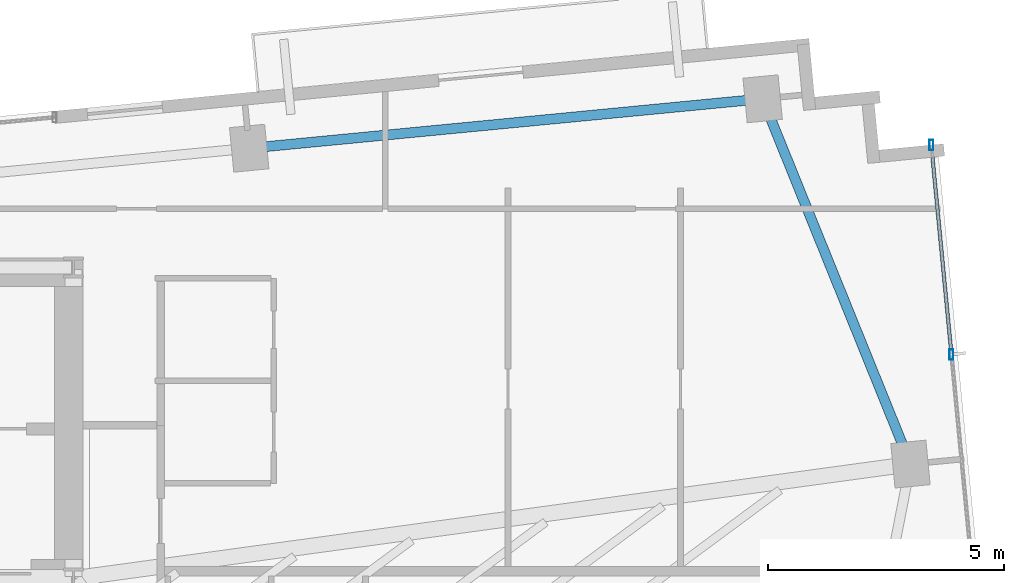
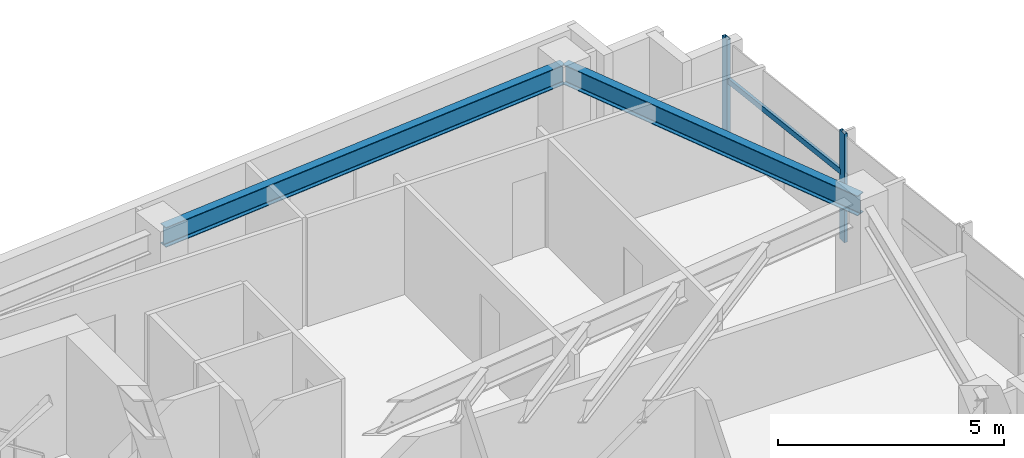
# One storey, part 11 of 18: 3 members, 2 beams, 1 element without a shape of its own.
"""IFC4 building model written with IfcOpenShell, lengths in metres."""

from ifc_helpers import new_model, si_unit, direction, frame, origin, origin_2d, place, context, subcontext, project, spatial, hollow_rectangle, i_section, extrude, source, transform, mapped, material, material_profile, profile_set, type_object, type_shapes, element, aggregate, save


model = new_model("IFC4")

# Units and contexts
model_context = context("Model", 3, precision=1e-05, world=origin(), true_north=direction((0.0, 1.0)))
body_context = subcontext(model_context, "Body", "Model", "MODEL_VIEW")
ifc_project = project(units=[si_unit("LENGTHUNIT", "METRE"), si_unit("AREAUNIT", "SQUARE_METRE"), si_unit("VOLUMEUNIT", "CUBIC_METRE"), si_unit("PLANEANGLEUNIT", "RADIAN"), si_unit("MASSUNIT", "GRAM", prefix="KILO")], contexts=[model_context])

# Site, building, storey
site_placement = place(None, origin())
site = spatial("IfcSite", under=ifc_project, at=site_placement, CompositionType="ELEMENT")
building_placement = place(site_placement, origin())
building = spatial("IfcBuilding", under=site, at=building_placement, Name="Astriad Promenade Condominiums", CompositionType="ELEMENT")
storey_placement = place(building_placement, frame((0.0, 0.0, 185.800048828125)))
storey = spatial("IfcBuildingStorey", under=building, at=storey_placement, Name="L53", CompositionType="ELEMENT", Elevation=185.800048828125)

# Beams
ifc_material_1 = material(Name="Steel ASTM A992 Grade 50", Category="steel")
ifc_material_profile_1 = material_profile(ifc_material_1, i_section(OverallWidth=0.210693359375, OverallDepth=0.53955078125, WebThickness=0.01171875, FlangeThickness=0.018798828125, FilletRadius=0.0166015625, at=origin_2d()), Name="W21X73")
ifc_profile_set_1 = profile_set([ifc_material_profile_1], Name="Steel ASTM A992 Grade 50")
beam_type = type_object("IfcBeamType", Name="STEEL SPANDREL BEAM W21X73", PredefinedType="SPANDREL", material=ifc_profile_set_1)
shared_shape_1 = source(origin(), body_context, "Body", "SweptSolid", [
    extrude(i_section(OverallWidth=0.210693359375, OverallDepth=0.53955078125, WebThickness=0.01171875, FlangeThickness=0.018798828125, FilletRadius=0.0166015625, at=origin_2d()), origin(), (0.0, 0.0, 1.0), 10.8701171875),
])
beam_1_placement = place(storey_placement, frame((60.190673828125, 27.578369140625, 2.670166015625), z_axis=(-0.995394986184, -0.09585834069, 0.0), x_axis=(0.09585834069, -0.995394986184, 0.0)))
element("IfcBeam", 1, at=beam_1_placement, inside=storey, type_object=beam_type, Name="Perimeter Spandrel Beam SP-N4-L53", PredefinedType="SPANDREL", context=body_context, shape_type="MappedRepresentation", body=[
    mapped(shared_shape_1, transform((0.0, 0.0, 0.0), scale=1.0)),
])
shared_shape_2 = source(origin(), body_context, "Body", "SweptSolid", [
    extrude(i_section(OverallWidth=0.210693359375, OverallDepth=0.53955078125, WebThickness=0.01171875, FlangeThickness=0.018798828125, FilletRadius=0.0166015625, at=origin_2d()), origin(), (0.0, 0.0, 1.0), 8.28564453125),
])
type_shapes(beam_type, [shared_shape_1, shared_shape_2])
beam_2_placement = place(storey_placement, frame((63.353271484375, 19.8642578125, 2.670166015625), z_axis=(-0.375070987134, 0.926996092014, 0.0), x_axis=(-0.926996092014, -0.375070987134, 0.0)))
element("IfcBeam", 2, at=beam_2_placement, inside=storey, type_object=beam_type, Name="Perimeter Spandrel Beam SP-E2-L53", PredefinedType="SPANDREL", context=body_context, shape_type="MappedRepresentation", body=[
    mapped(shared_shape_2, transform((0.0, 0.0, 0.0), scale=1.0)),
])

# Curtain wall, members
ifc_material_2 = material(Name="Anodised aluminium Black Dark Glass Unitised", Category="aluminium")
curtain_wall_type = type_object("IfcCurtainWallType", Name="CW-B34-DARK", PredefinedType="USERDEFINED", material=ifc_material_2)
curtain_wall_placement = place(storey_placement, origin())
curtain_wall = element("IfcCurtainWall", 3, at=curtain_wall_placement, inside=storey, type_object=curtain_wall_type, Name="CW-L53-E", ObjectType="UNITISED_CURTAIN_WALL", PredefinedType="USERDEFINED")
ifc_material_3 = material(Name="Anodised aluminium 6063-T6 Black", Category="aluminium")
ifc_material_profile_2 = material_profile(ifc_material_3, hollow_rectangle(XDim=0.0849609375, YDim=0.219970703125, WallThickness=0.0048828125, at=origin_2d()), Name="ALU-MUL-85X220")
ifc_profile_set_2 = profile_set([ifc_material_profile_2], Name="Anodised aluminium 6063-T6 Black")
member_type_1 = type_object("IfcMemberType", Name="MUL-ALU-MUL-85X220", PredefinedType="MULLION", material=ifc_profile_set_2)
shared_shape_3 = source(origin(), body_context, "Body", "SweptSolid", [
    extrude(hollow_rectangle(XDim=0.0849609375, YDim=0.219970703125, WallThickness=0.0048828125, at=origin_2d()), origin(), (0.0, 0.0, 1.0), 2.93994140625),
])
type_shapes(member_type_1, [shared_shape_3])
member_1_placement = place(storey_placement, frame((63.81103515625, 26.6005859375, 0.0), z_axis=(0.0, 0.0, 1.0), x_axis=(1.0, 0.0, 0.0)))
member_1 = element("IfcMember", 4, at=member_1_placement, type_object=member_type_1, Name="CW-L53-E-MUL-00", PredefinedType="MULLION", context=body_context, shape_type="MappedRepresentation", body=[
    mapped(shared_shape_3, transform((0.0, 0.0, 0.0), scale=1.0)),
])
member_2_placement = place(storey_placement, frame((64.239013671875, 22.154541015625, 0.0), z_axis=(0.0, 0.0, 1.0), x_axis=(1.0, 0.0, 0.0)))
member_2 = element("IfcMember", 5, at=member_2_placement, type_object=member_type_1, Name="CW-L53-E-MUL-01", PredefinedType="MULLION", context=body_context, shape_type="MappedRepresentation", body=[
    mapped(shared_shape_3, transform((0.0, 0.0, 0.0), scale=1.0)),
])
ifc_material_profile_3 = material_profile(ifc_material_3, hollow_rectangle(XDim=0.074951171875, YDim=0.14990234375, WallThickness=0.004150390625, at=origin_2d()), Name="ALU-TRN-75X150")
ifc_profile_set_3 = profile_set([ifc_material_profile_3], Name="Anodised aluminium 6063-T6 Black")
member_type_2 = type_object("IfcMemberType", Name="TRN-ALU-TRN-75X150", PredefinedType="USERDEFINED", material=ifc_profile_set_3)
shared_shape_4 = source(origin(), body_context, "Body", "SweptSolid", [
    extrude(hollow_rectangle(XDim=0.074951171875, YDim=0.14990234375, WallThickness=0.004150390625, at=origin_2d()), origin(), (0.0, 0.0, 1.0), 4.466552734375),
])
type_shapes(member_type_2, [shared_shape_4])
member_3_placement = place(storey_placement, frame((63.81103515625, 26.6005859375, 1.82275390625), z_axis=(0.095817598554, -0.995398908884, 0.0), x_axis=(0.995398908884, 0.095817598554, 0.0)))
member_3 = element("IfcMember", 6, at=member_3_placement, type_object=member_type_2, Name="CW-L53-E-TRN-00-0", ObjectType="TRANSOM", PredefinedType="USERDEFINED", context=body_context, shape_type="MappedRepresentation", body=[
    mapped(shared_shape_4, transform((0.0, 0.0, 0.0), scale=1.0)),
])
aggregate(curtain_wall, [member_1, member_2, member_3])

save(model, "model.ifc")
